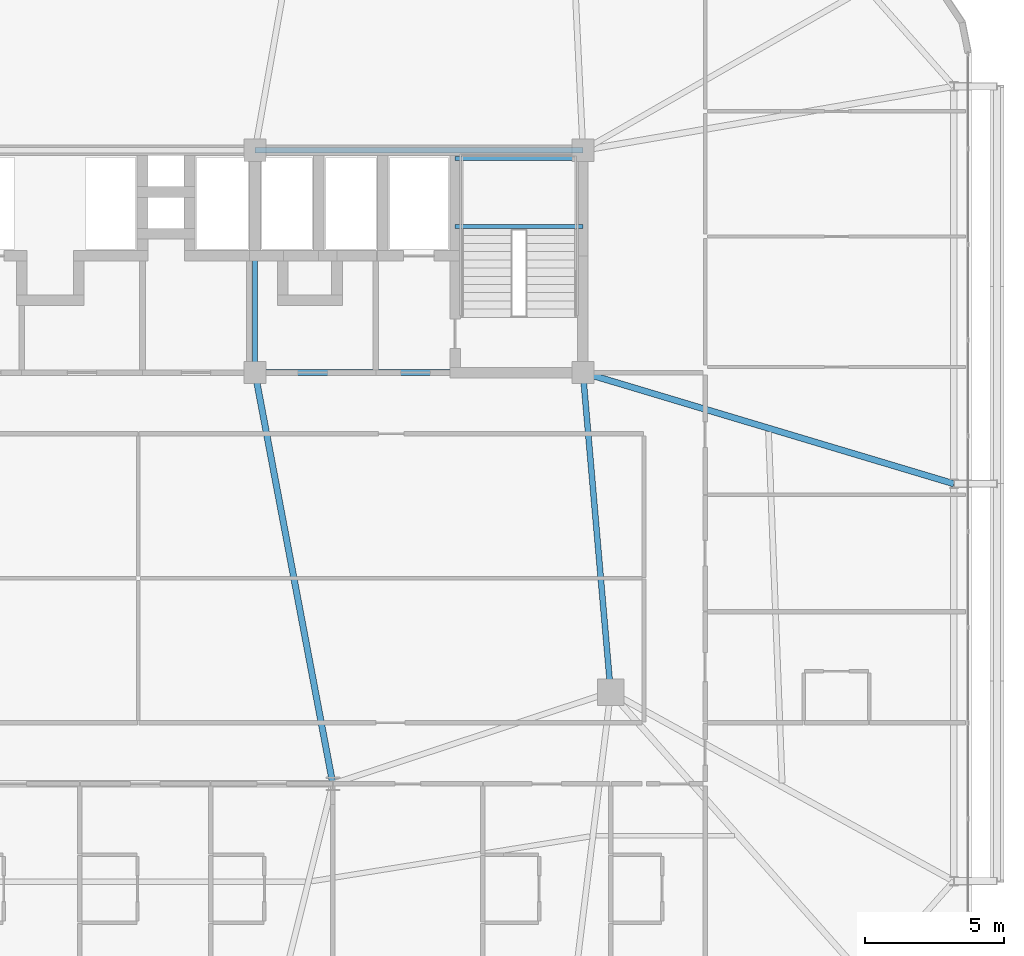
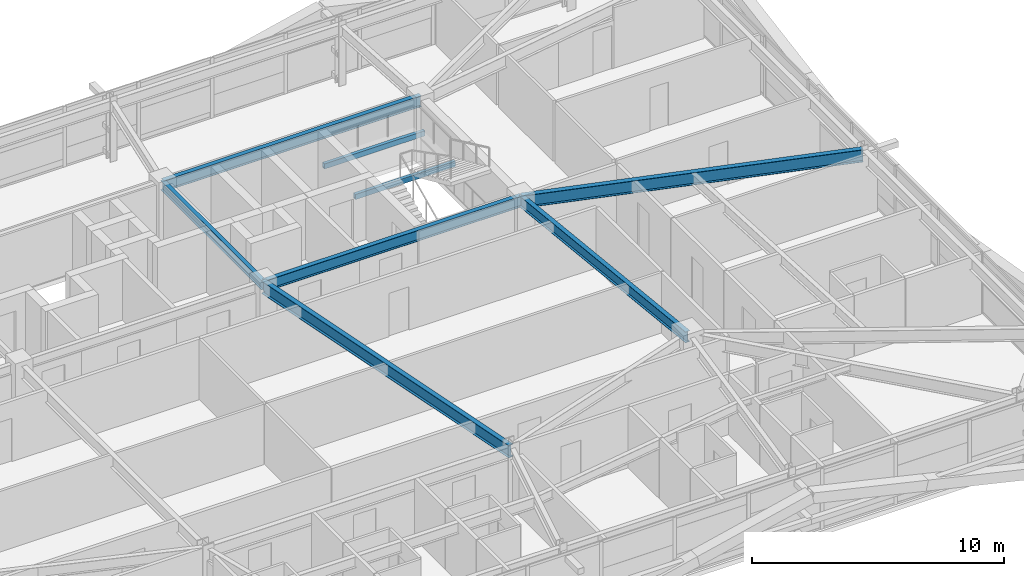
# One storey, part 29 of 59: 8 beams.
"""IFC4 building model written with IfcOpenShell, lengths in metres."""

from ifc_helpers import new_model, si_unit, direction, frame, origin, origin_2d, place, context, subcontext, project, spatial, hollow_rectangle, i_section, extrude, source, transform, mapped, material, material_profile, profile_set, type_object, element, save


model = new_model("IFC4")

# Units and contexts
model_context = context("Model", 3, precision=1e-05, world=origin(), true_north=direction((0.0, 1.0)))
body_context = subcontext(model_context, "Body", "Model", "MODEL_VIEW")
ifc_project = project(units=[si_unit("LENGTHUNIT", "METRE"), si_unit("AREAUNIT", "SQUARE_METRE"), si_unit("VOLUMEUNIT", "CUBIC_METRE"), si_unit("PLANEANGLEUNIT", "RADIAN"), si_unit("MASSUNIT", "GRAM", prefix="KILO")], contexts=[model_context])

# Site, building, storey
site_placement = place(None, origin())
site = spatial("IfcSite", under=ifc_project, at=site_placement, CompositionType="ELEMENT")
building_placement = place(site_placement, origin())
building = spatial("IfcBuilding", under=site, at=building_placement, Name="Taldren Reach Tower", CompositionType="ELEMENT")
storey_placement = place(building_placement, frame((0.0, 0.0, 19.949951171875)))
storey = spatial("IfcBuildingStorey", under=building, at=storey_placement, Name="L05", CompositionType="ELEMENT", Elevation=19.949951171875)

# Beams
ifc_material_1 = material(Name="Steel Gr 350 (350PLUS)", Category="steel")
ifc_material_profile_1 = material_profile(ifc_material_1, i_section(OverallWidth=0.208984375, OverallDepth=0.532958984375, WebThickness=0.01025390625, FlangeThickness=0.015625, at=origin_2d()), Name="530UB92.4")
ifc_profile_set_1 = profile_set([ifc_material_profile_1], Name="Steel Gr 350 (350PLUS)")
beam_type_1 = type_object("IfcBeamType", Name="BM-UB530A", PredefinedType="BEAM", material=ifc_profile_set_1)
shared_shape_1 = source(origin(), body_context, "Body", "SweptSolid", [
    extrude(i_section(OverallWidth=0.208984375, OverallDepth=0.532958984375, WebThickness=0.01025390625, FlangeThickness=0.015625, at=origin_2d()), origin(), (0.0, 0.0, 1.0), 11.800048828125),
])
for number, where, z_axis, x_axis, name in (
    (1, (39.199951171875, 24.0, 2.66357421875), (1.0, 0.0, 0.0), (0.0, 1.0, 0.0), "Core-spine girder L05-SP03"),
    (2, (39.199951171875, 32.0, 2.66357421875), (1.0, 0.0, 0.0), (0.0, 1.0, 0.0), "Core-spine girder L05-SP06"),
):
    element("IfcBeam", number, at=place(storey_placement, frame(where, z_axis=z_axis, x_axis=x_axis)), inside=storey, type_object=beam_type_1, Name=name, PredefinedType="BEAM", context=body_context, shape_type="MappedRepresentation", body=[
        mapped(shared_shape_1, transform((0.0, 0.0, 0.0), scale=1.0)),
    ])
ifc_material_profile_2 = material_profile(ifc_material_1, i_section(OverallWidth=0.19091796875, OverallDepth=0.4599609375, WebThickness=0.010009765625, FlangeThickness=0.01611328125, at=origin_2d()), Name="460UB82.1")
ifc_profile_set_2 = profile_set([ifc_material_profile_2], Name="Steel Gr 350 (350PLUS)")
beam_type_2 = type_object("IfcBeamType", Name="BM-UB460A", PredefinedType="BEAM", material=ifc_profile_set_2)
shared_shape_2 = source(origin(), body_context, "Body", "SweptSolid", [
    extrude(i_section(OverallWidth=0.19091796875, OverallDepth=0.4599609375, WebThickness=0.010009765625, FlangeThickness=0.01611328125, at=origin_2d()), origin(), (0.0, 0.0, 1.0), 8.0),
])
beam_1_placement = place(storey_placement, frame((39.199951171875, 24.0, 2.699951171875), z_axis=(0.0, 1.0, 0.0), x_axis=(-1.0, 0.0, 0.0)))
element("IfcBeam", 3, at=beam_1_placement, inside=storey, type_object=beam_type_2, Name="Core-spine girder L05-SP08", PredefinedType="BEAM", context=body_context, shape_type="MappedRepresentation", body=[
    mapped(shared_shape_2, transform((0.0, 0.0, 0.0), scale=1.0)),
])
shared_shape_3 = source(origin(), body_context, "Body", "SweptSolid", [
    extrude(i_section(OverallWidth=0.208984375, OverallDepth=0.532958984375, WebThickness=0.01025390625, FlangeThickness=0.015625, at=origin_2d()), origin(), (0.0, 0.0, 1.0), 11.54345703125),
])
beam_2_placement = place(storey_placement, frame((52.0, 12.5, 2.66357421875), z_axis=(-0.086629616365, 0.996240588196, 0.0), x_axis=(-0.996240588196, -0.086629616365, 0.0)))
element("IfcBeam", 4, at=beam_2_placement, inside=storey, type_object=beam_type_1, Name="Core-spine girder L05-SP13", PredefinedType="BEAM", context=body_context, shape_type="MappedRepresentation", body=[
    mapped(shared_shape_3, transform((0.0, 0.0, 0.0), scale=1.0)),
])
ifc_material_profile_3 = material_profile(ifc_material_1, i_section(OverallWidth=0.22802734375, OverallDepth=0.60205078125, WebThickness=0.010498046875, FlangeThickness=0.014892578125, at=origin_2d()), Name="610UB101")
ifc_profile_set_3 = profile_set([ifc_material_profile_3], Name="Steel Gr 350 (350PLUS)")
beam_type_3 = type_object("IfcBeamType", Name="BM-UB610B", PredefinedType="BEAM", material=ifc_profile_set_3)
shared_shape_4 = source(origin(), body_context, "Body", "SweptSolid", [
    extrude(i_section(OverallWidth=0.22802734375, OverallDepth=0.60205078125, WebThickness=0.010498046875, FlangeThickness=0.014892578125, at=origin_2d()), origin(), (0.0, 0.0, 1.0), 15.0625),
])
beam_3_placement = place(storey_placement, frame((39.199951171875, 24.0, 2.629150390625), z_axis=(0.185894205668, -0.982569765614, 0.0), x_axis=(0.982569765614, 0.185894205668, 0.0)))
element("IfcBeam", 5, at=beam_3_placement, inside=storey, type_object=beam_type_3, Name="Core-spine girder L05-SP15", PredefinedType="BEAM", context=body_context, shape_type="MappedRepresentation", body=[
    mapped(shared_shape_4, transform((0.0, 0.0, 0.0), scale=1.0)),
])
shared_shape_5 = source(origin(), body_context, "Body", "SweptSolid", [
    extrude(i_section(OverallWidth=0.22802734375, OverallDepth=0.60205078125, WebThickness=0.010498046875, FlangeThickness=0.014892578125, at=origin_2d()), origin(), (0.0, 0.0, 1.0), 13.9365234375),
])
beam_4_placement = place(storey_placement, frame((51.0, 24.0, 2.629150390625), z_axis=(0.957925550891, -0.287016792104, 0.0), x_axis=(0.287016792104, 0.957925550891, 0.0)))
element("IfcBeam", 6, at=beam_4_placement, inside=storey, type_object=beam_type_3, Name="Primary floor girder B1-E2 L05", PredefinedType="BEAM", context=body_context, shape_type="MappedRepresentation", body=[
    mapped(shared_shape_5, transform((0.0, 0.0, 0.0), scale=1.0)),
])
ifc_material_2 = material(Name="Steel Gr 350 (C350L0)", Category="steel")
ifc_material_profile_4 = material_profile(ifc_material_2, hollow_rectangle(XDim=0.14990234375, YDim=0.25, WallThickness=0.009033203125, at=origin_2d()), Name="250x150x9.0RHS")
ifc_profile_set_4 = profile_set([ifc_material_profile_4], Name="Steel Gr 350 (C350L0)")
beam_type_4 = type_object("IfcBeamType", Name="LN-RHS250", PredefinedType="LINTEL", material=ifc_profile_set_4)
shared_shape_6 = source(origin(), body_context, "Body", "SweptSolid", [
    extrude(hollow_rectangle(XDim=0.14990234375, YDim=0.25, WallThickness=0.009033203125, at=origin_2d()), origin(), (0.0, 0.0, 1.0), 4.60009765625),
])
for number, where, z_axis, x_axis, name in (
    (7, (46.39990234375, 29.2548828125, 1.27001953125), (1.0, 0.0, 0.0), (0.0, 1.0, 0.0), "Stair half-landing support beam ST2-L05-1"),
    (8, (46.39990234375, 31.699951171875, 1.27001953125), (1.0, 0.0, 0.0), (0.0, 1.0, 0.0), "Stair half-landing support beam ST2-L05-2"),
):
    element("IfcBeam", number, at=place(storey_placement, frame(where, z_axis=z_axis, x_axis=x_axis)), inside=storey, type_object=beam_type_4, Name=name, PredefinedType="LINTEL", context=body_context, shape_type="MappedRepresentation", body=[
        mapped(shared_shape_6, transform((0.0, 0.0, 0.0), scale=1.0)),
    ])

save(model, "model.ifc")
